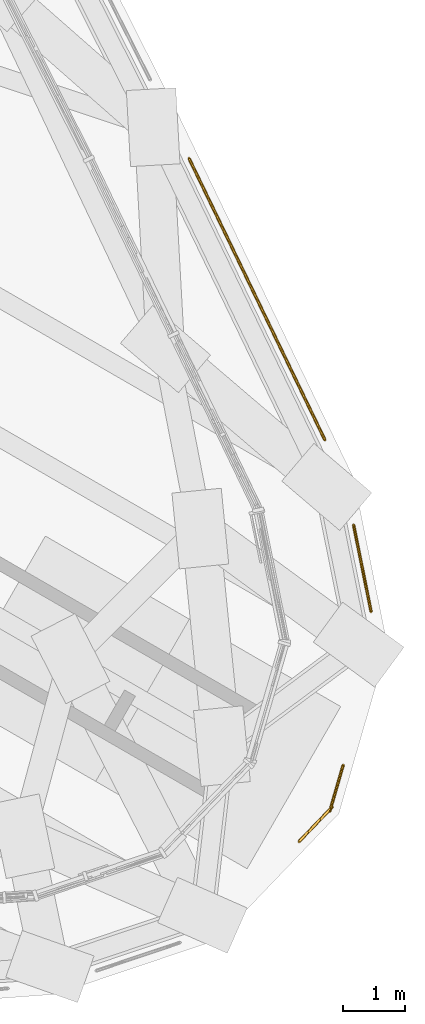
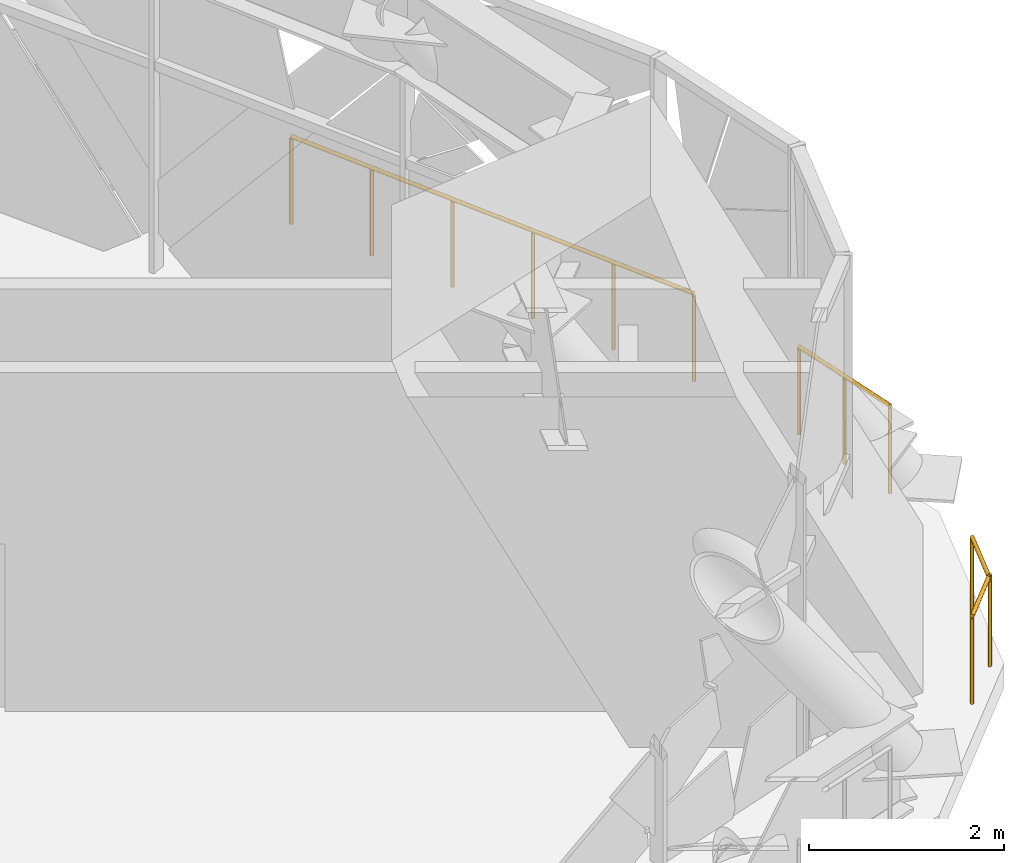
# One storey, part 43 of 43: 4 railings.
"""IFC4 building model written with IfcOpenShell, lengths in metres."""

from ifc_helpers import new_model, si_unit, direction, frame, origin, origin_2d, place, context, subcontext, project, spatial, circle, extrude, material, type_object, element, save


model = new_model("IFC4")

# Units and contexts
model_context = context("Model", 3, precision=1e-05, world=origin(), true_north=direction((0.0, 1.0)))
body_context = subcontext(model_context, "Body", "Model", "MODEL_VIEW")
ifc_project = project(units=[si_unit("LENGTHUNIT", "METRE"), si_unit("AREAUNIT", "SQUARE_METRE"), si_unit("VOLUMEUNIT", "CUBIC_METRE"), si_unit("PLANEANGLEUNIT", "RADIAN"), si_unit("MASSUNIT", "GRAM", prefix="KILO")], contexts=[model_context])

# Site, building, storey
site_placement = place(None, origin())
site = spatial("IfcSite", under=ifc_project, at=site_placement, CompositionType="ELEMENT")
building_placement = place(site_placement, origin())
building = spatial("IfcBuilding", under=site, at=building_placement, Name="Mestral Congress Tower", CompositionType="ELEMENT")
storey_placement = place(building_placement, frame((0.0, 0.0, 78.300048828125)))
storey = spatial("IfcBuildingStorey", under=building, at=storey_placement, Name="L18", CompositionType="ELEMENT", Elevation=78.300048828125)

# Railings
ifc_material = material(Name="Stainless steel", Category="steel")
railing_type = type_object("IfcRailingType", Name="Facade guard 1120 steel and glass", PredefinedType="GUARDRAIL", material=ifc_material)
railing_1_placement = place(storey_placement, frame((32.7587890625, -19.728515625, 0.0)))
element("IfcRailing", 1, at=railing_1_placement, inside=storey, type_object=railing_type, Name="Band guard K0-1", PredefinedType="GUARDRAIL", context=body_context, shape_type="SweptSolid", body=[
    extrude(circle(Radius=0.02392578125, at=origin_2d()), frame((0.0, 0.0, 1.09619140625), z_axis=(0.692412041027, 0.721502297599, 0.0), x_axis=(-0.721502297599, 0.692412041027, 0.0)), (0.0, 0.0, 1.0), 0.763671875),
    extrude(circle(Radius=0.02099609375, at=origin_2d()), origin(), (0.0, 0.0, 1.0), 1.072021484375),
    extrude(circle(Radius=0.02099609375, at=origin_2d()), frame((0.52880859375, 0.551025390625, 0.0)), (0.0, 0.0, 1.0), 1.072021484375),
])
railing_2_placement = place(storey_placement, frame((33.251953125, -19.239501953125, 0.0)))
element("IfcRailing", 2, at=railing_2_placement, inside=storey, type_object=railing_type, Name="Band guard K0-2", PredefinedType="GUARDRAIL", context=body_context, shape_type="SweptSolid", body=[
    extrude(circle(Radius=0.02392578125, at=origin_2d()), frame((0.0, 0.0, 1.09619140625), z_axis=(0.278601074327, 0.960406914481, 0.0), x_axis=(-0.960406914481, 0.278601074327, 0.0)), (0.0, 0.0, 1.0), 0.76416015625),
    extrude(circle(Radius=0.02099609375, at=origin_2d()), origin(), (0.0, 0.0, 1.0), 1.072021484375),
    extrude(circle(Radius=0.02099609375, at=origin_2d()), frame((0.212890625, 0.73388671875, 0.0)), (0.0, 0.0, 1.0), 1.072021484375),
])
railing_3_placement = place(storey_placement, frame((33.91259765625, -16.044677734375, 0.0)))
element("IfcRailing", 3, at=railing_3_placement, inside=storey, type_object=railing_type, Name="Band guard K0-3", PredefinedType="GUARDRAIL", context=body_context, shape_type="SweptSolid", body=[
    extrude(circle(Radius=0.02392578125, at=origin_2d()), frame((0.0, 0.0, 1.09619140625), z_axis=(-0.198239144745, 0.980153682588, 0.0), x_axis=(-0.980153682588, -0.198239144745, 0.0)), (0.0, 0.0, 1.0), 1.4150390625),
    extrude(circle(Radius=0.02099609375, at=origin_2d()), origin(), (0.0, 0.0, 1.0), 1.072021484375),
    extrude(circle(Radius=0.02099609375, at=origin_2d()), frame((-0.14013671875, 0.693359375, 0.0)), (0.0, 0.0, 1.0), 1.072021484375),
    extrude(circle(Radius=0.02099609375, at=origin_2d()), frame((-0.280517578125, 1.386962890625, 0.0)), (0.0, 0.0, 1.0), 1.072021484375),
])
railing_4_placement = place(storey_placement, frame((33.171630859375, -13.29248046875, 0.0)))
element("IfcRailing", 4, at=railing_4_placement, inside=storey, type_object=railing_type, Name="Band guard F1-00", PredefinedType="GUARDRAIL", context=body_context, shape_type="SweptSolid", body=[
    extrude(circle(Radius=0.02392578125, at=origin_2d()), frame((0.0, 0.0, 1.09619140625), z_axis=(-0.434664499056, 0.900592456808, 0.0), x_axis=(-0.900592456808, -0.434664499056, 0.0)), (0.0, 0.0, 1.0), 5.005615234375),
    extrude(circle(Radius=0.02099609375, at=origin_2d()), origin(), (0.0, 0.0, 1.0), 1.072021484375),
    extrude(circle(Radius=0.02099609375, at=origin_2d()), frame((-0.43505859375, 0.901611328125, 0.0)), (0.0, 0.0, 1.0), 1.072021484375),
    extrude(circle(Radius=0.02099609375, at=origin_2d()), frame((-0.870361328125, 1.80322265625, 0.0)), (0.0, 0.0, 1.0), 1.072021484375),
    extrude(circle(Radius=0.02099609375, at=origin_2d()), frame((-1.305419921875, 2.704833984375, 0.0)), (0.0, 0.0, 1.0), 1.072021484375),
    extrude(circle(Radius=0.02099609375, at=origin_2d()), frame((-1.74072265625, 3.6064453125, 0.0)), (0.0, 0.0, 1.0), 1.072021484375),
    extrude(circle(Radius=0.02099609375, at=origin_2d()), frame((-2.17578125, 4.508056640625, 0.0)), (0.0, 0.0, 1.0), 1.072021484375),
])

save(model, "model.ifc")
